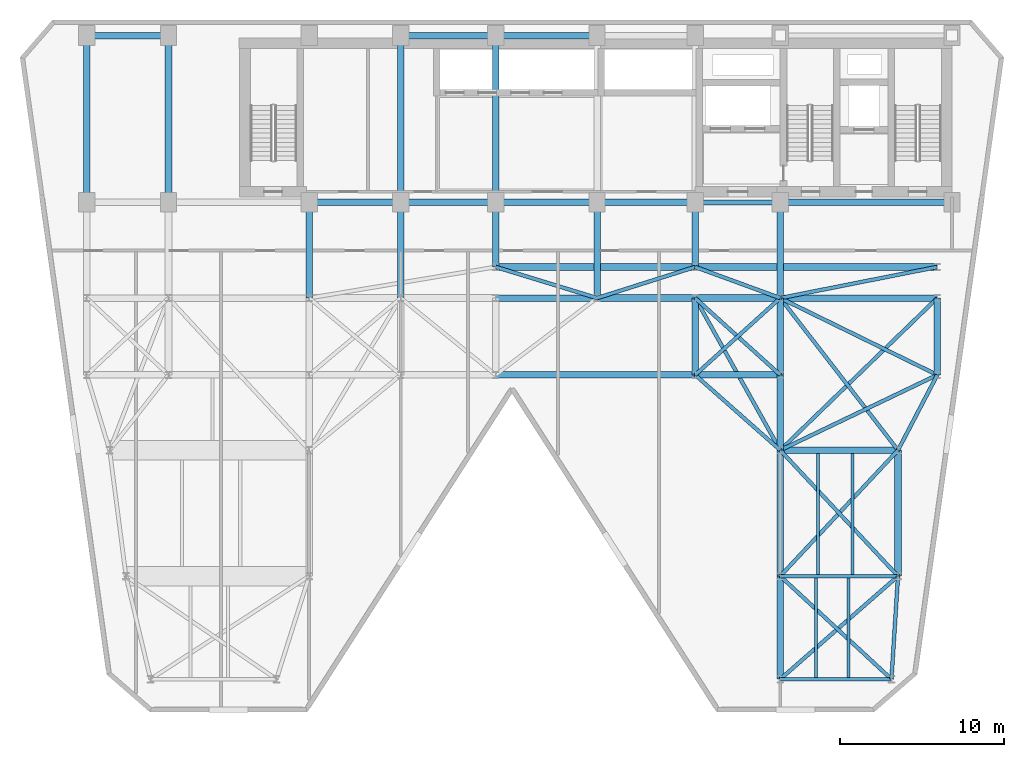
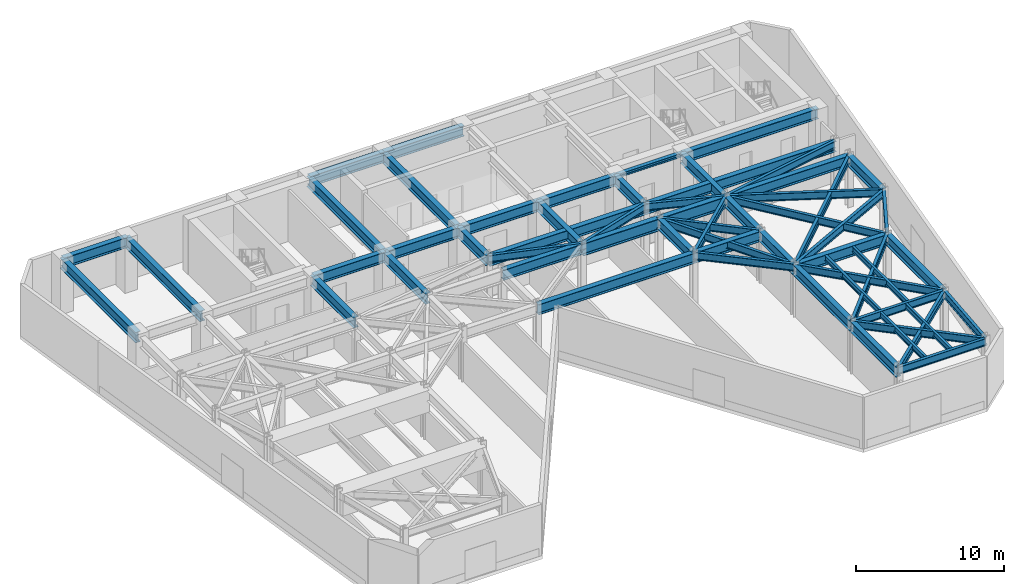
# One storey, part 2 of 8: 58 beams.
"""IFC4 building model written with IfcOpenShell, lengths in metres."""

from ifc_helpers import new_model, si_unit, direction, frame, origin, origin_2d, place, context, subcontext, project, spatial, i_section, extrude, material, material_profile, profile_set, type_object, element, save


model = new_model("IFC4")

# Units and contexts
model_context = context("Model", 3, precision=1e-05, world=origin(), true_north=direction((0.0, 1.0)))
body_context = subcontext(model_context, "Body", "Model", "MODEL_VIEW")
ifc_project = project(units=[si_unit("LENGTHUNIT", "METRE"), si_unit("AREAUNIT", "SQUARE_METRE"), si_unit("VOLUMEUNIT", "CUBIC_METRE"), si_unit("PLANEANGLEUNIT", "RADIAN"), si_unit("MASSUNIT", "GRAM", prefix="KILO")], contexts=[model_context])

# Site, building, storey
site_placement = place(None, origin())
site = spatial("IfcSite", under=ifc_project, at=site_placement, CompositionType="ELEMENT")
building_placement = place(site_placement, origin())
building = spatial("IfcBuilding", under=site, at=building_placement, Name="Kravanh Interchange Tower", CompositionType="ELEMENT")
storey_placement = place(building_placement, frame((0.0, 0.0, 156.0)))
storey = spatial("IfcBuildingStorey", under=building, at=storey_placement, Name="L37", CompositionType="ELEMENT", Elevation=156.0)

# Beams
ifc_material_1 = material(Name="Structural Steel S355", Category="steel")
ifc_material_profile_1 = material_profile(ifc_material_1, i_section(OverallWidth=0.39990234375, OverallDepth=0.85595703125, WebThickness=0.018310546875, FlangeThickness=0.029296875, FilletRadius=0.02490234375, at=origin_2d()), Name="W33X201")
ifc_profile_set_1 = profile_set([ifc_material_profile_1], Name="Structural Steel S355")
beam_type_1 = type_object("IfcBeamType", Name="Floor Beam W33X201 Structural Steel S355", PredefinedType="BEAM", material=ifc_profile_set_1)
beam_1_placement = place(storey_placement, frame((66.5, 37.35009765625, 3.822021484375), z_axis=(-1.0, 0.0, 0.0), x_axis=(0.0, -1.0, 0.0)))
element("IfcBeam", 1, at=beam_1_placement, inside=storey, type_object=beam_type_1, Name="L37 Primary Floor Girder 5", PredefinedType="BEAM", context=body_context, shape_type="SweptSolid", body=[
    extrude(i_section(OverallWidth=0.39990234375, OverallDepth=0.85595703125, WebThickness=0.018310546875, FlangeThickness=0.029296875, FilletRadius=0.02490234375, at=origin_2d()), origin(), (0.0, 0.0, 1.0), 10.5),
])
beam_2_placement = place(storey_placement, frame((56.0, 37.35009765625, 3.822021484375), z_axis=(0.0, -1.0, 0.0), x_axis=(1.0, 0.0, 0.0)))
element("IfcBeam", 2, at=beam_2_placement, inside=storey, type_object=beam_type_1, Name="L37 Primary Floor Girder 7", PredefinedType="BEAM", context=body_context, shape_type="SweptSolid", body=[
    extrude(i_section(OverallWidth=0.39990234375, OverallDepth=0.85595703125, WebThickness=0.018310546875, FlangeThickness=0.029296875, FilletRadius=0.02490234375, at=origin_2d()), origin(), (0.0, 0.0, 1.0), 5.85009765625),
])
beam_3_placement = place(storey_placement, frame((50.800048828125, 37.35009765625, 3.822021484375), z_axis=(0.0, -1.0, 0.0), x_axis=(1.0, 0.0, 0.0)))
element("IfcBeam", 3, at=beam_3_placement, inside=storey, type_object=beam_type_1, Name="L37 Primary Floor Girder 10", PredefinedType="BEAM", context=body_context, shape_type="SweptSolid", body=[
    extrude(i_section(OverallWidth=0.39990234375, OverallDepth=0.85595703125, WebThickness=0.018310546875, FlangeThickness=0.029296875, FilletRadius=0.02490234375, at=origin_2d()), origin(), (0.0, 0.0, 1.0), 3.9501953125),
])
beam_4_placement = place(storey_placement, frame((50.800048828125, 37.35009765625, 3.822021484375), z_axis=(-1.0, 0.0, 0.0), x_axis=(0.0, -1.0, 0.0)))
element("IfcBeam", 4, at=beam_4_placement, inside=storey, type_object=beam_type_1, Name="L37 Primary Floor Girder 11", PredefinedType="BEAM", context=body_context, shape_type="SweptSolid", body=[
    extrude(i_section(OverallWidth=0.39990234375, OverallDepth=0.85595703125, WebThickness=0.018310546875, FlangeThickness=0.029296875, FilletRadius=0.02490234375, at=origin_2d()), origin(), (0.0, 0.0, 1.0), 6.0),
])
beam_5_placement = place(storey_placement, frame((44.800048828125, 37.35009765625, 3.822021484375), z_axis=(0.0, -1.0, 0.0), x_axis=(1.0, 0.0, 0.0)))
element("IfcBeam", 5, at=beam_5_placement, inside=storey, type_object=beam_type_1, Name="L37 Primary Floor Girder 12", PredefinedType="BEAM", context=body_context, shape_type="SweptSolid", body=[
    extrude(i_section(OverallWidth=0.39990234375, OverallDepth=0.85595703125, WebThickness=0.018310546875, FlangeThickness=0.029296875, FilletRadius=0.02490234375, at=origin_2d()), origin(), (0.0, 0.0, 1.0), 5.85009765625),
])
for number, where, z_axis, x_axis, name in (
    (6, (44.800048828125, 37.35009765625, 3.822021484375), (-1.0, 0.0, 0.0), (0.0, -1.0, 0.0), "L37 Primary Floor Girder 13"),
    (7, (44.800048828125, 47.550048828125, 3.822021484375), (-1.0, 0.0, 0.0), (0.0, -1.0, 0.0), "L37 Primary Floor Girder 15"),
):
    element("IfcBeam", number, at=place(storey_placement, frame(where, z_axis=z_axis, x_axis=x_axis)), inside=storey, type_object=beam_type_1, Name=name, PredefinedType="BEAM", context=body_context, shape_type="SweptSolid", body=[
        extrude(i_section(OverallWidth=0.39990234375, OverallDepth=0.85595703125, WebThickness=0.018310546875, FlangeThickness=0.029296875, FilletRadius=0.02490234375, at=origin_2d()), origin(), (0.0, 0.0, 1.0), 6.199951171875),
    ])
beam_6_placement = place(storey_placement, frame((38.60009765625, 37.35009765625, 3.822021484375), z_axis=(0.0, -1.0, 0.0), x_axis=(1.0, 0.0, 0.0)))
element("IfcBeam", 8, at=beam_6_placement, inside=storey, type_object=beam_type_1, Name="L37 Primary Floor Girder 16", PredefinedType="BEAM", context=body_context, shape_type="SweptSolid", body=[
    extrude(i_section(OverallWidth=0.39990234375, OverallDepth=0.85595703125, WebThickness=0.018310546875, FlangeThickness=0.029296875, FilletRadius=0.02490234375, at=origin_2d()), origin(), (0.0, 0.0, 1.0), 3.9501953125),
])
beam_7_placement = place(storey_placement, frame((38.60009765625, 37.35009765625, 3.822021484375), z_axis=(-1.0, 0.0, 0.0), x_axis=(0.0, -1.0, 0.0)))
element("IfcBeam", 9, at=beam_7_placement, inside=storey, type_object=beam_type_1, Name="L37 Primary Floor Girder 17", PredefinedType="BEAM", context=body_context, shape_type="SweptSolid", body=[
    extrude(i_section(OverallWidth=0.39990234375, OverallDepth=0.85595703125, WebThickness=0.018310546875, FlangeThickness=0.029296875, FilletRadius=0.02490234375, at=origin_2d()), origin(), (0.0, 0.0, 1.0), 5.800048828125),
])
beam_8_placement = place(storey_placement, frame((38.60009765625, 37.35009765625, 3.822021484375), z_axis=(0.0, 1.0, 0.0), x_axis=(-1.0, 0.0, 0.0)))
element("IfcBeam", 10, at=beam_8_placement, inside=storey, type_object=beam_type_1, Name="L37 Primary Floor Girder 18", PredefinedType="BEAM", context=body_context, shape_type="SweptSolid", body=[
    extrude(i_section(OverallWidth=0.39990234375, OverallDepth=0.85595703125, WebThickness=0.018310546875, FlangeThickness=0.029296875, FilletRadius=0.02490234375, at=origin_2d()), origin(), (0.0, 0.0, 1.0), 10.199951171875),
])
beam_9_placement = place(storey_placement, frame((38.60009765625, 47.550048828125, 3.822021484375), z_axis=(-1.0, 0.0, 0.0), x_axis=(0.0, -1.0, 0.0)))
element("IfcBeam", 11, at=beam_9_placement, inside=storey, type_object=beam_type_1, Name="L37 Primary Floor Girder 19", PredefinedType="BEAM", context=body_context, shape_type="SweptSolid", body=[
    extrude(i_section(OverallWidth=0.39990234375, OverallDepth=0.85595703125, WebThickness=0.018310546875, FlangeThickness=0.029296875, FilletRadius=0.02490234375, at=origin_2d()), origin(), (0.0, 0.0, 1.0), 5.800048828125),
])
beam_10_placement = place(storey_placement, frame((32.800048828125, 37.35009765625, 3.822021484375), z_axis=(-1.0, 0.0, 0.0), x_axis=(0.0, -1.0, 0.0)))
element("IfcBeam", 12, at=beam_10_placement, inside=storey, type_object=beam_type_1, Name="L37 Primary Floor Girder 20", PredefinedType="BEAM", context=body_context, shape_type="SweptSolid", body=[
    extrude(i_section(OverallWidth=0.39990234375, OverallDepth=0.85595703125, WebThickness=0.018310546875, FlangeThickness=0.029296875, FilletRadius=0.02490234375, at=origin_2d()), origin(), (0.0, 0.0, 1.0), 5.60009765625),
])
beam_11_placement = place(storey_placement, frame((32.800048828125, 37.35009765625, 3.822021484375), z_axis=(0.0, -1.0, 0.0), x_axis=(1.0, 0.0, 0.0)))
element("IfcBeam", 13, at=beam_11_placement, inside=storey, type_object=beam_type_1, Name="L37 Primary Floor Girder 21", PredefinedType="BEAM", context=body_context, shape_type="SweptSolid", body=[
    extrude(i_section(OverallWidth=0.39990234375, OverallDepth=0.85595703125, WebThickness=0.018310546875, FlangeThickness=0.029296875, FilletRadius=0.02490234375, at=origin_2d()), origin(), (0.0, 0.0, 1.0), 5.85009765625),
])
beam_12_placement = place(storey_placement, frame((32.800048828125, 37.35009765625, 3.822021484375), z_axis=(0.0, 1.0, 0.0), x_axis=(-1.0, 0.0, 0.0)))
element("IfcBeam", 14, at=beam_12_placement, inside=storey, type_object=beam_type_1, Name="L37 Primary Floor Girder 22", PredefinedType="BEAM", context=body_context, shape_type="SweptSolid", body=[
    extrude(i_section(OverallWidth=0.39990234375, OverallDepth=0.85595703125, WebThickness=0.018310546875, FlangeThickness=0.029296875, FilletRadius=0.02490234375, at=origin_2d()), origin(), (0.0, 0.0, 1.0), 10.199951171875),
])
beam_13_placement = place(storey_placement, frame((27.199951171875, 37.35009765625, 3.822021484375), z_axis=(0.0, -1.0, 0.0), x_axis=(1.0, 0.0, 0.0)))
element("IfcBeam", 15, at=beam_13_placement, inside=storey, type_object=beam_type_1, Name="L37 Primary Floor Girder 24", PredefinedType="BEAM", context=body_context, shape_type="SweptSolid", body=[
    extrude(i_section(OverallWidth=0.39990234375, OverallDepth=0.85595703125, WebThickness=0.018310546875, FlangeThickness=0.029296875, FilletRadius=0.02490234375, at=origin_2d()), origin(), (0.0, 0.0, 1.0), 5.85009765625),
])
beam_14_placement = place(storey_placement, frame((18.60009765625, 37.35009765625, 3.822021484375), z_axis=(0.0, 1.0, 0.0), x_axis=(-1.0, 0.0, 0.0)))
element("IfcBeam", 16, at=beam_14_placement, inside=storey, type_object=beam_type_1, Name="L37 Primary Floor Girder 30", PredefinedType="BEAM", context=body_context, shape_type="SweptSolid", body=[
    extrude(i_section(OverallWidth=0.39990234375, OverallDepth=0.85595703125, WebThickness=0.018310546875, FlangeThickness=0.029296875, FilletRadius=0.02490234375, at=origin_2d()), origin(), (0.0, 0.0, 1.0), 10.199951171875),
])
beam_15_placement = place(storey_placement, frame((18.60009765625, 47.550048828125, 3.822021484375), z_axis=(-1.0, 0.0, 0.0), x_axis=(0.0, -1.0, 0.0)))
element("IfcBeam", 17, at=beam_15_placement, inside=storey, type_object=beam_type_1, Name="L37 Primary Floor Girder 31", PredefinedType="BEAM", context=body_context, shape_type="SweptSolid", body=[
    extrude(i_section(OverallWidth=0.39990234375, OverallDepth=0.85595703125, WebThickness=0.018310546875, FlangeThickness=0.029296875, FilletRadius=0.02490234375, at=origin_2d()), origin(), (0.0, 0.0, 1.0), 5.0),
])
beam_16_placement = place(storey_placement, frame((13.60009765625, 37.35009765625, 3.822021484375), z_axis=(0.0, 1.0, 0.0), x_axis=(-1.0, 0.0, 0.0)))
element("IfcBeam", 18, at=beam_16_placement, inside=storey, type_object=beam_type_1, Name="L37 Primary Floor Girder 33", PredefinedType="BEAM", context=body_context, shape_type="SweptSolid", body=[
    extrude(i_section(OverallWidth=0.39990234375, OverallDepth=0.85595703125, WebThickness=0.018310546875, FlangeThickness=0.029296875, FilletRadius=0.02490234375, at=origin_2d()), origin(), (0.0, 0.0, 1.0), 10.199951171875),
])
beam_17_placement = place(storey_placement, frame((38.60009765625, 26.800048828125, 3.822021484375), z_axis=(1.0, 0.0, 0.0), x_axis=(0.0, 1.0, 0.0)))
element("IfcBeam", 19, at=beam_17_placement, inside=storey, type_object=beam_type_1, Name="L37 Primary Floor Girder 56", PredefinedType="BEAM", context=body_context, shape_type="SweptSolid", body=[
    extrude(i_section(OverallWidth=0.39990234375, OverallDepth=0.85595703125, WebThickness=0.018310546875, FlangeThickness=0.029296875, FilletRadius=0.02490234375, at=origin_2d()), origin(), (0.0, 0.0, 1.0), 12.199951171875),
])
beam_18_placement = place(storey_placement, frame((50.800048828125, 26.800048828125, 3.822021484375), z_axis=(0.0, 1.0, 0.0), x_axis=(-1.0, 0.0, 0.0)))
element("IfcBeam", 20, at=beam_18_placement, inside=storey, type_object=beam_type_1, Name="L37 Primary Floor Girder 57", PredefinedType="BEAM", context=body_context, shape_type="SweptSolid", body=[
    extrude(i_section(OverallWidth=0.39990234375, OverallDepth=0.85595703125, WebThickness=0.018310546875, FlangeThickness=0.029296875, FilletRadius=0.02490234375, at=origin_2d()), origin(), (0.0, 0.0, 1.0), 4.699951171875),
])
beam_19_placement = place(storey_placement, frame((50.800048828125, 26.800048828125, 3.822021484375), z_axis=(1.0, 0.0, 0.0), x_axis=(0.0, 1.0, 0.0)))
element("IfcBeam", 21, at=beam_19_placement, inside=storey, type_object=beam_type_1, Name="L37 Primary Floor Girder 58", PredefinedType="BEAM", context=body_context, shape_type="SweptSolid", body=[
    extrude(i_section(OverallWidth=0.39990234375, OverallDepth=0.85595703125, WebThickness=0.018310546875, FlangeThickness=0.029296875, FilletRadius=0.02490234375, at=origin_2d()), origin(), (0.0, 0.0, 1.0), 5.199951171875),
])
beam_20_placement = place(storey_placement, frame((56.0, 26.800048828125, 3.822021484375), z_axis=(0.0, -1.0, 0.0), x_axis=(1.0, 0.0, 0.0)))
element("IfcBeam", 22, at=beam_20_placement, inside=storey, type_object=beam_type_1, Name="L37 Primary Floor Girder 61", PredefinedType="BEAM", context=body_context, shape_type="SweptSolid", body=[
    extrude(i_section(OverallWidth=0.39990234375, OverallDepth=0.85595703125, WebThickness=0.018310546875, FlangeThickness=0.029296875, FilletRadius=0.02490234375, at=origin_2d()), origin(), (0.0, 0.0, 1.0), 4.60009765625),
])
for number, where, z_axis, x_axis, name in (
    (23, (56.0, 26.800048828125, 3.822021484375), (0.0, 1.0, 0.0), (-1.0, 0.0, 0.0), "L37 Primary Floor Girder 62"),
    (24, (65.60009765625, 26.800048828125, 3.822021484375), (0.0, 1.0, 0.0), (-1.0, 0.0, 0.0), "L37 Primary Floor Girder 65"),
):
    element("IfcBeam", number, at=place(storey_placement, frame(where, z_axis=z_axis, x_axis=x_axis)), inside=storey, type_object=beam_type_1, Name=name, PredefinedType="BEAM", context=body_context, shape_type="SweptSolid", body=[
        extrude(i_section(OverallWidth=0.39990234375, OverallDepth=0.85595703125, WebThickness=0.018310546875, FlangeThickness=0.029296875, FilletRadius=0.02490234375, at=origin_2d()), origin(), (0.0, 0.0, 1.0), 4.699951171875),
    ])
beam_21_placement = place(storey_placement, frame((38.60009765625, 31.5, 3.822021484375), z_axis=(1.0, 0.0, 0.0), x_axis=(0.0, 1.0, 0.0)))
element("IfcBeam", 25, at=beam_21_placement, inside=storey, type_object=beam_type_1, Name="L37 Primary Floor Girder 81", PredefinedType="BEAM", context=body_context, shape_type="SweptSolid", body=[
    extrude(i_section(OverallWidth=0.39990234375, OverallDepth=0.85595703125, WebThickness=0.018310546875, FlangeThickness=0.029296875, FilletRadius=0.02490234375, at=origin_2d()), origin(), (0.0, 0.0, 1.0), 6.199951171875),
])
beam_22_placement = place(storey_placement, frame((56.0, 31.5, 3.822021484375), z_axis=(1.0, 0.0, 0.0), x_axis=(0.0, 1.0, 0.0)))
element("IfcBeam", 26, at=beam_22_placement, inside=storey, type_object=beam_type_1, Name="L37 Primary Floor Girder 90", PredefinedType="BEAM", context=body_context, shape_type="SweptSolid", body=[
    extrude(i_section(OverallWidth=0.39990234375, OverallDepth=0.85595703125, WebThickness=0.018310546875, FlangeThickness=0.029296875, FilletRadius=0.02490234375, at=origin_2d()), origin(), (0.0, 0.0, 1.0), 9.60009765625),
])
beam_23_placement = place(storey_placement, frame((56.0, 8.199951171875, 3.822021484375), z_axis=(0.0, 1.0, 0.0), x_axis=(-1.0, 0.0, 0.0)))
element("IfcBeam", 27, at=beam_23_placement, inside=storey, type_object=beam_type_1, Name="L37 Primary Floor Girder 95", PredefinedType="BEAM", context=body_context, shape_type="SweptSolid", body=[
    extrude(i_section(OverallWidth=0.39990234375, OverallDepth=0.85595703125, WebThickness=0.018310546875, FlangeThickness=0.029296875, FilletRadius=0.02490234375, at=origin_2d()), origin(), (0.0, 0.0, 1.0), 6.300048828125),
])
for number, where, z_axis, x_axis, name in (
    (28, (56.0, 14.5, 3.822021484375), (0.0, 1.0, 0.0), (-1.0, 0.0, 0.0), "L37 Primary Floor Girder 104"),
    (29, (63.199951171875, 14.5, 3.822021484375), (0.0, 1.0, 0.0), (-1.0, 0.0, 0.0), "L37 Primary Floor Girder 106"),
):
    element("IfcBeam", number, at=place(storey_placement, frame(where, z_axis=z_axis, x_axis=x_axis)), inside=storey, type_object=beam_type_1, Name=name, PredefinedType="BEAM", context=body_context, shape_type="SweptSolid", body=[
        extrude(i_section(OverallWidth=0.39990234375, OverallDepth=0.85595703125, WebThickness=0.018310546875, FlangeThickness=0.029296875, FilletRadius=0.02490234375, at=origin_2d()), origin(), (0.0, 0.0, 1.0), 7.699951171875),
    ])
beam_24_placement = place(storey_placement, frame((56.0, 22.199951171875, 3.822021484375), z_axis=(1.0, 0.0, 0.0), x_axis=(0.0, 1.0, 0.0)))
element("IfcBeam", 30, at=beam_24_placement, inside=storey, type_object=beam_type_1, Name="L37 Primary Floor Girder 109", PredefinedType="BEAM", context=body_context, shape_type="SweptSolid", body=[
    extrude(i_section(OverallWidth=0.39990234375, OverallDepth=0.85595703125, WebThickness=0.018310546875, FlangeThickness=0.029296875, FilletRadius=0.02490234375, at=origin_2d()), origin(), (0.0, 0.0, 1.0), 7.199951171875),
])
beam_25_placement = place(storey_placement, frame((38.60009765625, 33.39990234375, 3.822021484375), z_axis=(1.0, 0.0, 0.0), x_axis=(0.0, 1.0, 0.0)))
element("IfcBeam", 31, at=beam_25_placement, inside=storey, type_object=beam_type_1, Name="L37 Primary Floor Girder 111", PredefinedType="BEAM", context=body_context, shape_type="SweptSolid", body=[
    extrude(i_section(OverallWidth=0.39990234375, OverallDepth=0.85595703125, WebThickness=0.018310546875, FlangeThickness=0.029296875, FilletRadius=0.02490234375, at=origin_2d()), origin(), (0.0, 0.0, 1.0), 12.199951171875),
])
beam_26_placement = place(storey_placement, frame((50.800048828125, 33.39990234375, 3.822021484375), z_axis=(1.0, 0.0, 0.0), x_axis=(0.0, 1.0, 0.0)))
element("IfcBeam", 32, at=beam_26_placement, inside=storey, type_object=beam_type_1, Name="L37 Primary Floor Girder 112", PredefinedType="BEAM", context=body_context, shape_type="SweptSolid", body=[
    extrude(i_section(OverallWidth=0.39990234375, OverallDepth=0.85595703125, WebThickness=0.018310546875, FlangeThickness=0.029296875, FilletRadius=0.02490234375, at=origin_2d()), origin(), (0.0, 0.0, 1.0), 14.800048828125),
])
ifc_material_2 = material(Name="Structural Steel S355", Category="steel")
ifc_material_profile_2 = material_profile(ifc_material_2, i_section(OverallWidth=0.18994140625, OverallDepth=0.45703125, WebThickness=0.009033203125, FlangeThickness=0.014404296875, FilletRadius=0.01806640625, at=origin_2d()), Name="W18X50")
ifc_profile_set_2 = profile_set([ifc_material_profile_2], Name="Structural Steel S355")
beam_type_2 = type_object("IfcBeamType", Name="Floor Joist W18X50 Structural Steel S355", PredefinedType="JOIST", material=ifc_profile_set_2)
for number, where, z_axis, x_axis, name in (
    (33, (58.18994140625, 8.30908203125, 4.021484375), (0.0, 1.0, 0.0), (-1.0, 0.0, 0.0), "L37 Secondary Floor Joist 3"),
    (34, (60.169921875, 8.30908203125, 4.021484375), (0.0, 1.0, 0.0), (-1.0, 0.0, 0.0), "L37 Secondary Floor Joist 4"),
):
    element("IfcBeam", number, at=place(storey_placement, frame(where, z_axis=z_axis, x_axis=x_axis)), inside=storey, type_object=beam_type_2, Name=name, PredefinedType="JOIST", context=body_context, shape_type="SweptSolid", body=[
        extrude(i_section(OverallWidth=0.18994140625, OverallDepth=0.45703125, WebThickness=0.009033203125, FlangeThickness=0.014404296875, FilletRadius=0.01806640625, at=origin_2d()), origin(), (0.0, 0.0, 1.0), 6.08203125),
    ])
for number, where, z_axis, x_axis, name in (
    (35, (58.302001953125, 14.60888671875, 4.021484375), (0.0, 1.0, 0.0), (-1.0, 0.0, 0.0), "L37 Secondary Floor Joist 7"),
    (36, (60.426025390625, 14.60888671875, 4.021484375), (0.0, 1.0, 0.0), (-1.0, 0.0, 0.0), "L37 Secondary Floor Joist 8"),
):
    element("IfcBeam", number, at=place(storey_placement, frame(where, z_axis=z_axis, x_axis=x_axis)), inside=storey, type_object=beam_type_2, Name=name, PredefinedType="JOIST", context=body_context, shape_type="SweptSolid", body=[
        extrude(i_section(OverallWidth=0.18994140625, OverallDepth=0.45703125, WebThickness=0.009033203125, FlangeThickness=0.014404296875, FilletRadius=0.01806640625, at=origin_2d()), origin(), (0.0, 0.0, 1.0), 7.39599609375),
    ])
ifc_material_3 = material(Name="Structural Steel S355", Category="steel")
ifc_material_profile_3 = material_profile(ifc_material_3, i_section(OverallWidth=0.304931640625, OverallDepth=0.306884765625, WebThickness=0.010009765625, FlangeThickness=0.015380859375, FilletRadius=0.014892578125, at=origin_2d()), Name="W12X65")
ifc_profile_set_3 = profile_set([ifc_material_profile_3], Name="Structural Steel S355")
beam_type_3 = type_object("IfcBeamType", Name="Floor Lintel W12X65 Structural Steel S355", PredefinedType="LINTEL", material=ifc_profile_set_3)
beam_27_placement = place(storey_placement, frame((50.800048828125, 37.35009765625, 4.096435546875), z_axis=(1.0, 0.0, 0.0), x_axis=(0.0, 1.0, 0.0)))
element("IfcBeam", 37, at=beam_27_placement, inside=storey, type_object=beam_type_3, Name="L37 Core Coupling Lintel 1", PredefinedType="LINTEL", context=body_context, shape_type="SweptSolid", body=[
    extrude(i_section(OverallWidth=0.304931640625, OverallDepth=0.306884765625, WebThickness=0.010009765625, FlangeThickness=0.015380859375, FilletRadius=0.014892578125, at=origin_2d()), origin(), (0.0, 0.0, 1.0), 5.199951171875),
])
ifc_material_4 = material(Name="Structural Steel S355", Category="steel")
ifc_material_profile_4 = material_profile(ifc_material_4, i_section(OverallWidth=0.22802734375, OverallDepth=0.60791015625, WebThickness=0.01123046875, FlangeThickness=0.017333984375, FilletRadius=0.02197265625, at=origin_2d()), Name="W24X76")
ifc_profile_set_4 = profile_set([ifc_material_profile_4], Name="Structural Steel S355")
beam_type_4 = type_object("IfcBeamType", Name="Floor Spandrel W24X76 Structural Steel S355", PredefinedType="SPANDREL", material=ifc_profile_set_4)
beam_28_placement = place(storey_placement, frame((50.800048828125, 26.800048828125, 3.946044921875), z_axis=(0.74898649432, -0.662585263439, 0.0), x_axis=(0.662585263439, 0.74898649432, 0.0)))
element("IfcBeam", 38, at=beam_28_placement, inside=storey, type_object=beam_type_4, Name="L37 Perimeter Spandrel 59", PredefinedType="SPANDREL", context=body_context, shape_type="SweptSolid", body=[
    extrude(i_section(OverallWidth=0.22802734375, OverallDepth=0.60791015625, WebThickness=0.01123046875, FlangeThickness=0.017333984375, FilletRadius=0.02197265625, at=origin_2d()), origin(), (0.0, 0.0, 1.0), 6.942626953125),
])
for number, where, z_axis, x_axis, name in (
    (39, (50.800048828125, 26.800048828125, 3.946044921875), (0.741874009795, 0.670539300557, 0.0), (-0.670539300557, 0.741874009795, 0.0), "L37 Perimeter Spandrel 60"),
    (40, (56.0, 26.800048828125, 3.946044921875), (-0.741874009795, 0.670539300557, 0.0), (-0.670539300557, -0.741874009795, 0.0), "L37 Perimeter Spandrel 63"),
):
    element("IfcBeam", number, at=place(storey_placement, frame(where, z_axis=z_axis, x_axis=x_axis)), inside=storey, type_object=beam_type_4, Name=name, PredefinedType="SPANDREL", context=body_context, shape_type="SweptSolid", body=[
        extrude(i_section(OverallWidth=0.22802734375, OverallDepth=0.60791015625, WebThickness=0.01123046875, FlangeThickness=0.017333984375, FilletRadius=0.02197265625, at=origin_2d()), origin(), (0.0, 0.0, 1.0), 7.00927734375),
    ])
beam_29_placement = place(storey_placement, frame((65.60009765625, 26.800048828125, 3.946044921875), z_axis=(-0.462580479178, -0.886577295155, 0.0), x_axis=(0.886577295155, -0.462580479178, 0.0)))
element("IfcBeam", 41, at=beam_29_placement, inside=storey, type_object=beam_type_4, Name="L37 Perimeter Spandrel 66", PredefinedType="SPANDREL", context=body_context, shape_type="SweptSolid", body=[
    extrude(i_section(OverallWidth=0.22802734375, OverallDepth=0.60791015625, WebThickness=0.01123046875, FlangeThickness=0.017333984375, FilletRadius=0.02197265625, at=origin_2d()), origin(), (0.0, 0.0, 1.0), 5.188720703125),
])
beam_30_placement = place(storey_placement, frame((65.60009765625, 26.800048828125, 3.946044921875), z_axis=(-0.901814166789, -0.432124066188, 0.0), x_axis=(0.432124066188, -0.901814166789, 0.0)))
element("IfcBeam", 42, at=beam_30_placement, inside=storey, type_object=beam_type_4, Name="L37 Perimeter Spandrel 67", PredefinedType="SPANDREL", context=body_context, shape_type="SweptSolid", body=[
    extrude(i_section(OverallWidth=0.22802734375, OverallDepth=0.60791015625, WebThickness=0.01123046875, FlangeThickness=0.017333984375, FilletRadius=0.02197265625, at=origin_2d()), origin(), (0.0, 0.0, 1.0), 10.645263671875),
])
beam_31_placement = place(storey_placement, frame((65.60009765625, 26.800048828125, 3.946044921875), z_axis=(-0.898141688387, 0.439706160499, 0.0), x_axis=(-0.439706160499, -0.898141688387, 0.0)))
element("IfcBeam", 43, at=beam_31_placement, inside=storey, type_object=beam_type_4, Name="L37 Perimeter Spandrel 68", PredefinedType="SPANDREL", context=body_context, shape_type="SweptSolid", body=[
    extrude(i_section(OverallWidth=0.22802734375, OverallDepth=0.60791015625, WebThickness=0.01123046875, FlangeThickness=0.017333984375, FilletRadius=0.02197265625, at=origin_2d()), origin(), (0.0, 0.0, 1.0), 10.68896484375),
])
beam_32_placement = place(storey_placement, frame((44.800048828125, 31.5, 3.946044921875), z_axis=(0.953346691051, 0.301877602122, 0.0), x_axis=(-0.301877602122, 0.953346691051, 0.0)))
element("IfcBeam", 44, at=beam_32_placement, inside=storey, type_object=beam_type_4, Name="L37 Perimeter Spandrel 84", PredefinedType="SPANDREL", context=body_context, shape_type="SweptSolid", body=[
    extrude(i_section(OverallWidth=0.22802734375, OverallDepth=0.60791015625, WebThickness=0.01123046875, FlangeThickness=0.017333984375, FilletRadius=0.02197265625, at=origin_2d()), origin(), (0.0, 0.0, 1.0), 6.293701171875),
])
beam_33_placement = place(storey_placement, frame((44.800048828125, 31.5, 3.946044921875), z_axis=(-0.956115397264, 0.292990353279, 0.0), x_axis=(-0.292990353279, -0.956115397264, 0.0)))
element("IfcBeam", 45, at=beam_33_placement, inside=storey, type_object=beam_type_4, Name="L37 Perimeter Spandrel 85", PredefinedType="SPANDREL", context=body_context, shape_type="SweptSolid", body=[
    extrude(i_section(OverallWidth=0.22802734375, OverallDepth=0.60791015625, WebThickness=0.01123046875, FlangeThickness=0.017333984375, FilletRadius=0.02197265625, at=origin_2d()), origin(), (0.0, 0.0, 1.0), 6.484619140625),
])
beam_34_placement = place(storey_placement, frame((50.800048828125, 31.5, 3.946044921875), z_axis=(0.488026248114, -0.872828952975, 0.0), x_axis=(0.872828952975, 0.488026248114, 0.0)))
element("IfcBeam", 46, at=beam_34_placement, inside=storey, type_object=beam_type_4, Name="L37 Perimeter Spandrel 87", PredefinedType="SPANDREL", context=body_context, shape_type="SweptSolid", body=[
    extrude(i_section(OverallWidth=0.22802734375, OverallDepth=0.60791015625, WebThickness=0.01123046875, FlangeThickness=0.017333984375, FilletRadius=0.02197265625, at=origin_2d()), origin(), (0.0, 0.0, 1.0), 10.655029296875),
])
beam_35_placement = place(storey_placement, frame((56.0, 31.5, 3.946044921875), z_axis=(-0.93926957103, 0.343180233896, 0.0), x_axis=(-0.343180233896, -0.93926957103, 0.0)))
element("IfcBeam", 47, at=beam_35_placement, inside=storey, type_object=beam_type_4, Name="L37 Perimeter Spandrel 89", PredefinedType="SPANDREL", context=body_context, shape_type="SweptSolid", body=[
    extrude(i_section(OverallWidth=0.22802734375, OverallDepth=0.60791015625, WebThickness=0.01123046875, FlangeThickness=0.017333984375, FilletRadius=0.02197265625, at=origin_2d()), origin(), (0.0, 0.0, 1.0), 5.5361328125),
])
beam_36_placement = place(storey_placement, frame((56.0, 31.5, 3.946044921875), z_axis=(0.980974000807, 0.194139150457, 0.0), x_axis=(-0.194139150457, 0.980974000807, 0.0)))
element("IfcBeam", 48, at=beam_36_placement, inside=storey, type_object=beam_type_4, Name="L37 Perimeter Spandrel 91", PredefinedType="SPANDREL", context=body_context, shape_type="SweptSolid", body=[
    extrude(i_section(OverallWidth=0.22802734375, OverallDepth=0.60791015625, WebThickness=0.01123046875, FlangeThickness=0.017333984375, FilletRadius=0.02197265625, at=origin_2d()), origin(), (0.0, 0.0, 1.0), 9.786376953125),
])
beam_37_placement = place(storey_placement, frame((56.0, 31.5, 3.946044921875), z_axis=(0.612168587637, -0.790727273028, 0.0), x_axis=(0.790727273028, 0.612168587637, 0.0)))
element("IfcBeam", 49, at=beam_37_placement, inside=storey, type_object=beam_type_4, Name="L37 Perimeter Spandrel 92", PredefinedType="SPANDREL", context=body_context, shape_type="SweptSolid", body=[
    extrude(i_section(OverallWidth=0.22802734375, OverallDepth=0.60791015625, WebThickness=0.01123046875, FlangeThickness=0.017333984375, FilletRadius=0.02197265625, at=origin_2d()), origin(), (0.0, 0.0, 1.0), 11.761474609375),
])
beam_38_placement = place(storey_placement, frame((65.60009765625, 31.5, 3.946044921875), z_axis=(-0.718241934329, -0.695793449072, 0.0), x_axis=(0.695793449072, -0.718241934329, 0.0)))
element("IfcBeam", 50, at=beam_38_placement, inside=storey, type_object=beam_type_4, Name="L37 Perimeter Spandrel 94", PredefinedType="SPANDREL", context=body_context, shape_type="SweptSolid", body=[
    extrude(i_section(OverallWidth=0.22802734375, OverallDepth=0.60791015625, WebThickness=0.01123046875, FlangeThickness=0.017333984375, FilletRadius=0.02197265625, at=origin_2d()), origin(), (0.0, 0.0, 1.0), 13.3662109375),
])
beam_39_placement = place(storey_placement, frame((56.0, 8.199951171875, 3.946044921875), z_axis=(1.0, 0.0, 0.0), x_axis=(0.0, 1.0, 0.0)))
element("IfcBeam", 51, at=beam_39_placement, inside=storey, type_object=beam_type_4, Name="L37 Perimeter Spandrel 96", PredefinedType="SPANDREL", context=body_context, shape_type="SweptSolid", body=[
    extrude(i_section(OverallWidth=0.22802734375, OverallDepth=0.60791015625, WebThickness=0.01123046875, FlangeThickness=0.017333984375, FilletRadius=0.02197265625, at=origin_2d()), origin(), (0.0, 0.0, 1.0), 6.800048828125),
])
beam_40_placement = place(storey_placement, frame((56.0, 8.199951171875, 3.946044921875), z_axis=(0.752571952274, 0.658510027752, 0.0), x_axis=(-0.658510027752, 0.752571952274, 0.0)))
element("IfcBeam", 52, at=beam_40_placement, inside=storey, type_object=beam_type_4, Name="L37 Perimeter Spandrel 97", PredefinedType="SPANDREL", context=body_context, shape_type="SweptSolid", body=[
    extrude(i_section(OverallWidth=0.22802734375, OverallDepth=0.60791015625, WebThickness=0.01123046875, FlangeThickness=0.017333984375, FilletRadius=0.02197265625, at=origin_2d()), origin(), (0.0, 0.0, 1.0), 9.567138671875),
])
beam_41_placement = place(storey_placement, frame((62.800048828125, 8.199951171875, 3.946044921875), z_axis=(0.063348576418, 0.99799146182, 0.0), x_axis=(-0.99799146182, 0.063348576418, 0.0)))
element("IfcBeam", 53, at=beam_41_placement, inside=storey, type_object=beam_type_4, Name="L37 Perimeter Spandrel 98", PredefinedType="SPANDREL", context=body_context, shape_type="SweptSolid", body=[
    extrude(i_section(OverallWidth=0.22802734375, OverallDepth=0.60791015625, WebThickness=0.01123046875, FlangeThickness=0.017333984375, FilletRadius=0.02197265625, at=origin_2d()), origin(), (0.0, 0.0, 1.0), 6.312744140625),
])
beam_42_placement = place(storey_placement, frame((62.800048828125, 8.199951171875, 3.946044921875), z_axis=(-0.733561267923, 0.679623326706, 0.0), x_axis=(-0.679623326706, -0.733561267923, 0.0)))
element("IfcBeam", 54, at=beam_42_placement, inside=storey, type_object=beam_type_4, Name="L37 Perimeter Spandrel 99", PredefinedType="SPANDREL", context=body_context, shape_type="SweptSolid", body=[
    extrude(i_section(OverallWidth=0.22802734375, OverallDepth=0.60791015625, WebThickness=0.01123046875, FlangeThickness=0.017333984375, FilletRadius=0.02197265625, at=origin_2d()), origin(), (0.0, 0.0, 1.0), 9.27001953125),
])
beam_43_placement = place(storey_placement, frame((56.0, 14.5, 3.946044921875), z_axis=(1.0, 0.0, 0.0), x_axis=(0.0, 1.0, 0.0)))
element("IfcBeam", 55, at=beam_43_placement, inside=storey, type_object=beam_type_4, Name="L37 Perimeter Spandrel 103", PredefinedType="SPANDREL", context=body_context, shape_type="SweptSolid", body=[
    extrude(i_section(OverallWidth=0.22802734375, OverallDepth=0.60791015625, WebThickness=0.01123046875, FlangeThickness=0.017333984375, FilletRadius=0.02197265625, at=origin_2d()), origin(), (0.0, 0.0, 1.0), 7.199951171875),
])
for number, where, z_axis, x_axis, name in (
    (56, (56.0, 14.5, 3.946044921875), (0.682993762113, 0.73042420614, 0.0), (-0.73042420614, 0.682993762113, 0.0), "L37 Perimeter Spandrel 105"),
    (57, (63.199951171875, 14.5, 3.946044921875), (-0.682993762113, 0.73042420614, 0.0), (-0.73042420614, -0.682993762113, 0.0), "L37 Perimeter Spandrel 107"),
):
    element("IfcBeam", number, at=place(storey_placement, frame(where, z_axis=z_axis, x_axis=x_axis)), inside=storey, type_object=beam_type_4, Name=name, PredefinedType="SPANDREL", context=body_context, shape_type="SweptSolid", body=[
        extrude(i_section(OverallWidth=0.22802734375, OverallDepth=0.60791015625, WebThickness=0.01123046875, FlangeThickness=0.017333984375, FilletRadius=0.02197265625, at=origin_2d()), origin(), (0.0, 0.0, 1.0), 10.541748046875),
    ])
ifc_material_5 = material(Name="Structural Steel S450", Category="steel")
ifc_material_profile_5 = material_profile(ifc_material_5, i_section(OverallWidth=0.4140625, OverallDepth=1.010986328125, WebThickness=0.023681640625, FlangeThickness=0.0419921875, FilletRadius=0.030029296875, at=origin_2d()), Name="W40X297")
ifc_profile_set_5 = profile_set([ifc_material_profile_5], Name="Structural Steel S450")
beam_type_5 = type_object("IfcBeamType", Name="Transfer Girder W40X297 Structural Steel S450", PredefinedType="BEAM", material=ifc_profile_set_5)
beam_44_placement = place(storey_placement, frame((44.800048828125, 31.5, 3.744384765625), z_axis=(1.0, 0.0, 0.0), x_axis=(0.0, 1.0, 0.0)))
element("IfcBeam", 58, at=beam_44_placement, inside=storey, type_object=beam_type_5, Name="L37 STEEL TRANSFER GIRDER 2", PredefinedType="BEAM", context=body_context, shape_type="SweptSolid", body=[
    extrude(i_section(OverallWidth=0.4140625, OverallDepth=1.010986328125, WebThickness=0.023681640625, FlangeThickness=0.0419921875, FilletRadius=0.030029296875, at=origin_2d()), origin(), (0.0, 0.0, 1.0), 11.199951171875),
])

save(model, "model.ifc")
